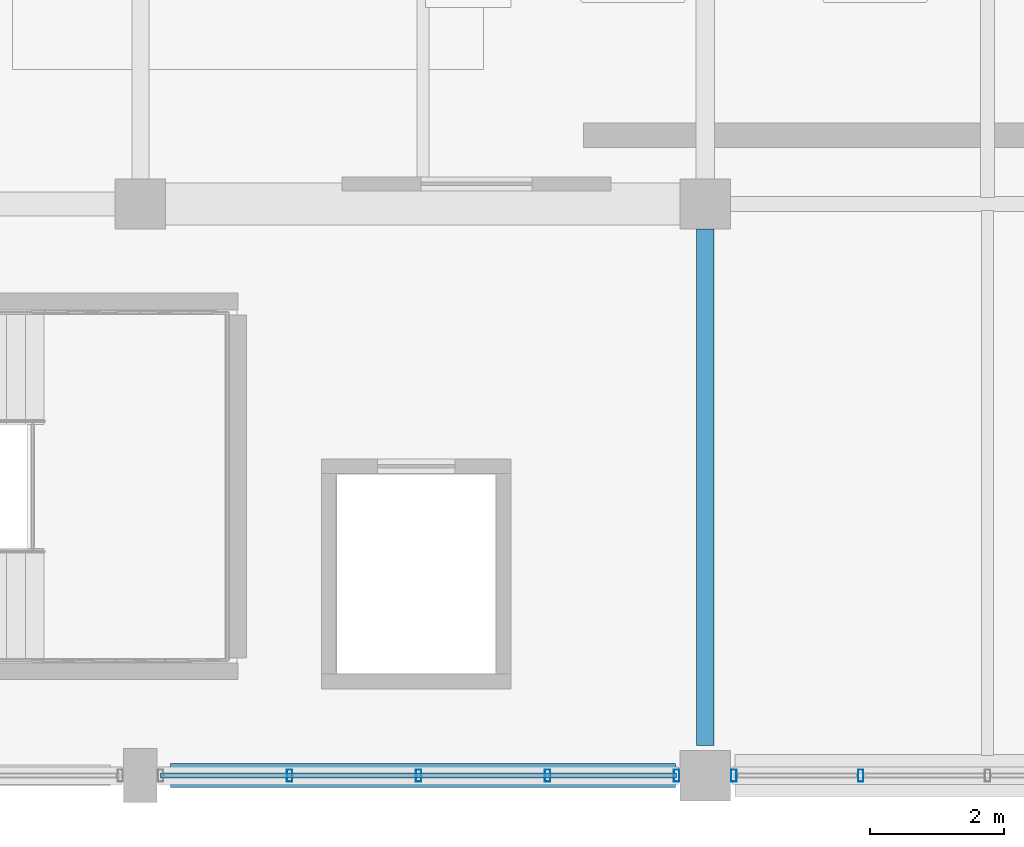
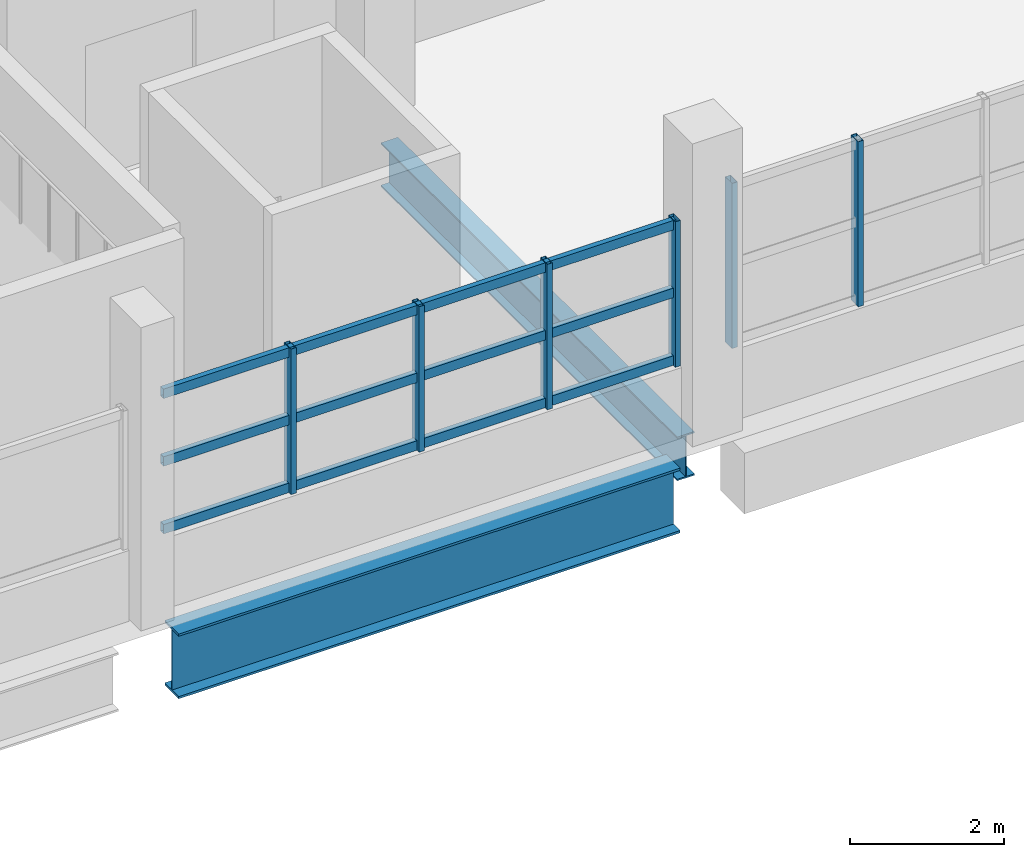
# One storey, part 52 of 117: 9 members, 2 beams, 2 elements without a shape of their own.
"""IFC4 building model written with IfcOpenShell, lengths in metres."""

from ifc_helpers import new_model, si_unit, direction, frame, origin, origin_2d, place, context, subcontext, project, spatial, hollow_rectangle, i_section, extrude, material, material_profile, profile_set, type_object, element, aggregate, save


model = new_model("IFC4")

# Units and contexts
model_context = context("Model", 3, precision=1e-05, world=origin(), true_north=direction((0.0, 1.0)))
body_context = subcontext(model_context, "Body", "Model", "MODEL_VIEW")
ifc_project = project(units=[si_unit("LENGTHUNIT", "METRE"), si_unit("AREAUNIT", "SQUARE_METRE"), si_unit("VOLUMEUNIT", "CUBIC_METRE"), si_unit("PLANEANGLEUNIT", "RADIAN"), si_unit("MASSUNIT", "GRAM", prefix="KILO")], contexts=[model_context])

# Site, building, storey
site_placement = place(None, origin())
site = spatial("IfcSite", under=ifc_project, at=site_placement, CompositionType="ELEMENT")
building_placement = place(site_placement, origin())
building = spatial("IfcBuilding", under=site, at=building_placement, Name="Solvento Point Concert Hall", CompositionType="ELEMENT")
storey_placement = place(building_placement, frame((0.0, 0.0, 5.39990234375)))
storey = spatial("IfcBuildingStorey", under=building, at=storey_placement, Name="L01", CompositionType="ELEMENT", Elevation=5.39990234375)

# Beams
ifc_material_1 = material(Name="Structural Steel ASTM A992 Grade 50", Category="steel")
ifc_material_profile_1 = material_profile(ifc_material_1, i_section(OverallWidth=0.256103515625, OverallDepth=0.693115234375, WebThickness=0.014404296875, FlangeThickness=0.023681640625, at=origin_2d()), Name="W27X114")
ifc_profile_set_1 = profile_set([ifc_material_profile_1], Name="Structural Steel ASTM A992 Grade 50")
beam_type_1 = type_object("IfcBeamType", Name="Girder_W27X114", PredefinedType="USERDEFINED", material=ifc_profile_set_1)
beam_1_placement = place(storey_placement, frame((166.800048828125, 0.444091796875, -0.7705078125), z_axis=(0.0, 1.0, 0.0), x_axis=(-1.0, 0.0, 0.0)))
element("IfcBeam", 1, at=beam_1_placement, inside=storey, type_object=beam_type_1, Name="Primary girder B-23 L01", ObjectType="GIRDER", PredefinedType="USERDEFINED", context=body_context, shape_type="SweptSolid", body=[
    extrude(i_section(OverallWidth=0.256103515625, OverallDepth=0.693115234375, WebThickness=0.014404296875, FlangeThickness=0.023681640625, at=origin_2d()), origin(), (0.0, 0.0, 1.0), 7.68701171875),
])
ifc_material_2 = material(Name="Structural Steel ASTM A992 Grade 50", Category="steel")
ifc_material_profile_2 = material_profile(ifc_material_2, i_section(OverallWidth=0.361083984375, OverallDepth=1.02587890625, WebThickness=0.01904296875, FlangeThickness=0.0361328125, at=origin_2d()), Name="W40X249")
ifc_profile_set_2 = profile_set([ifc_material_profile_2], Name="Structural Steel ASTM A992 Grade 50")
beam_type_2 = type_object("IfcBeamType", Name="Girder_W40X249", PredefinedType="USERDEFINED", material=ifc_profile_set_2)
beam_2_placement = place(storey_placement, frame((158.843994140625, 0.0, -0.93701171875), z_axis=(1.0, 0.0, 0.0), x_axis=(0.0, 1.0, 0.0)))
element("IfcBeam", 2, at=beam_2_placement, inside=storey, type_object=beam_type_2, Name="Primary girder B-29 L01", ObjectType="GIRDER", PredefinedType="USERDEFINED", context=body_context, shape_type="SweptSolid", body=[
    extrude(i_section(OverallWidth=0.361083984375, OverallDepth=1.02587890625, WebThickness=0.01904296875, FlangeThickness=0.0361328125, at=origin_2d()), origin(), (0.0, 0.0, 1.0), 7.511962890625),
])

# Curtain wall, members
ifc_material_3 = material(Name="Anodized Bronze Aluminium", Category="aluminium")
curtain_wall_type = type_object("IfcCurtainWallType", Name="CurtainWall_ChamberCircle", PredefinedType="USERDEFINED", material=ifc_material_3)
curtain_wall_1_placement = place(storey_placement, origin())
curtain_wall_1 = element("IfcCurtainWall", 3, at=curtain_wall_1_placement, inside=storey, type_object=curtain_wall_type, Name="Unitised curtain wall CW-32 UCW-L01-087", ObjectType="UNITISED CURTAIN WALL", PredefinedType="USERDEFINED")
ifc_material_4 = material(Name="Anodized Bronze Aluminium", Category="aluminium")
ifc_material_profile_3 = material_profile(ifc_material_4, hollow_rectangle(XDim=0.080078125, YDim=0.179931640625, WallThickness=0.00390625, at=origin_2d()), Name="CW-MUL-80X180")
ifc_profile_set_3 = profile_set([ifc_material_profile_3], Name="Anodized Bronze Aluminium")
member_type_1 = type_object("IfcMemberType", Name="Mullion_80x180", PredefinedType="MULLION", material=ifc_profile_set_3)
member_1_placement = place(storey_placement, frame((160.61865234375, 0.0, 1.1201171875), z_axis=(0.0, 0.0, 1.0), x_axis=(1.0, 0.0, 0.0)))
member_1 = element("IfcMember", 4, at=member_1_placement, type_object=member_type_1, Name="Curtain wall mullion ML-01", PredefinedType="MULLION", context=body_context, shape_type="SweptSolid", body=[
    extrude(hollow_rectangle(XDim=0.080078125, YDim=0.179931640625, WallThickness=0.00390625, at=origin_2d()), origin(), (0.0, 0.0, 1.0), 2.303955078125),
])
member_2_placement = place(storey_placement, frame((162.53759765625, 0.0, 1.1201171875), z_axis=(0.0, 0.0, 1.0), x_axis=(1.0, 0.0, 0.0)))
member_2 = element("IfcMember", 5, at=member_2_placement, type_object=member_type_1, Name="Curtain wall mullion ML-01", PredefinedType="MULLION", context=body_context, shape_type="SweptSolid", body=[
    extrude(hollow_rectangle(XDim=0.080078125, YDim=0.179931640625, WallThickness=0.00390625, at=origin_2d()), origin(), (0.0, 0.0, 1.0), 2.303955078125),
])
member_3_placement = place(storey_placement, frame((164.456298828125, 0.0, 1.1201171875), z_axis=(0.0, 0.0, 1.0), x_axis=(1.0, 0.0, 0.0)))
member_3 = element("IfcMember", 6, at=member_3_placement, type_object=member_type_1, Name="Curtain wall mullion ML-01", PredefinedType="MULLION", context=body_context, shape_type="SweptSolid", body=[
    extrude(hollow_rectangle(XDim=0.080078125, YDim=0.179931640625, WallThickness=0.00390625, at=origin_2d()), origin(), (0.0, 0.0, 1.0), 2.303955078125),
])
member_4_placement = place(storey_placement, frame((166.375, 0.0, 1.1201171875), z_axis=(0.0, 0.0, 1.0), x_axis=(1.0, 0.0, 0.0)))
member_4 = element("IfcMember", 7, at=member_4_placement, type_object=member_type_1, Name="Curtain wall mullion ML-01", PredefinedType="MULLION", context=body_context, shape_type="SweptSolid", body=[
    extrude(hollow_rectangle(XDim=0.080078125, YDim=0.179931640625, WallThickness=0.00390625, at=origin_2d()), origin(), (0.0, 0.0, 1.0), 2.303955078125),
])

curtain_wall_2_placement = place(storey_placement, origin())
curtain_wall_2 = element("IfcCurtainWall", 8, at=curtain_wall_2_placement, inside=storey, type_object=curtain_wall_type, Name="Unitised curtain wall CW-32 UCW-L01-088", ObjectType="UNITISED CURTAIN WALL", PredefinedType="USERDEFINED")
member_5_placement = place(storey_placement, frame((167.22509765625, 0.0, 1.1201171875), z_axis=(0.0, 0.0, 1.0), x_axis=(1.0, 0.0, 0.0)))
member_5 = element("IfcMember", 9, at=member_5_placement, type_object=member_type_1, Name="Curtain wall mullion ML-01", PredefinedType="MULLION", context=body_context, shape_type="SweptSolid", body=[
    extrude(hollow_rectangle(XDim=0.080078125, YDim=0.179931640625, WallThickness=0.00390625, at=origin_2d()), origin(), (0.0, 0.0, 1.0), 2.615966796875),
])
member_6_placement = place(storey_placement, frame((169.112548828125, 0.0, 1.1201171875), z_axis=(0.0, 0.0, 1.0), x_axis=(1.0, 0.0, 0.0)))
member_6 = element("IfcMember", 10, at=member_6_placement, type_object=member_type_1, Name="Curtain wall mullion ML-01", PredefinedType="MULLION", context=body_context, shape_type="SweptSolid", body=[
    extrude(hollow_rectangle(XDim=0.080078125, YDim=0.179931640625, WallThickness=0.00390625, at=origin_2d()), origin(), (0.0, 0.0, 1.0), 2.615966796875),
])
aggregate(curtain_wall_2, [member_5, member_6])

# Member
ifc_material_5 = material(Name="Anodized Bronze Aluminium", Category="aluminium")
ifc_material_profile_4 = material_profile(ifc_material_5, hollow_rectangle(XDim=0.080078125, YDim=0.14990234375, WallThickness=0.00390625, at=origin_2d()), Name="CW-TRN-80X150")
ifc_profile_set_4 = profile_set([ifc_material_profile_4], Name="Anodized Bronze Aluminium")
member_type_2 = type_object("IfcMemberType", Name="Transom_80x150", PredefinedType="USERDEFINED", material=ifc_profile_set_4)
member_7_placement = place(storey_placement, frame((158.699951171875, 0.0, 1.2001953125), z_axis=(1.0, 0.0, 0.0), x_axis=(0.0, 1.0, 0.0)))
member_7 = element("IfcMember", 11, at=member_7_placement, type_object=member_type_2, Name="Curtain wall transom TR-01", ObjectType="TRANSOM", PredefinedType="USERDEFINED", context=body_context, shape_type="SweptSolid", body=[
    extrude(hollow_rectangle(XDim=0.080078125, YDim=0.14990234375, WallThickness=0.00390625, at=origin_2d()), origin(), (0.0, 0.0, 1.0), 7.675048828125),
])

member_8_placement = place(storey_placement, frame((158.699951171875, 0.0, 2.272216796875), z_axis=(1.0, 0.0, 0.0), x_axis=(0.0, 1.0, 0.0)))
member_8 = element("IfcMember", 12, at=member_8_placement, type_object=member_type_2, Name="Curtain wall transom TR-01", ObjectType="TRANSOM", PredefinedType="USERDEFINED", context=body_context, shape_type="SweptSolid", body=[
    extrude(hollow_rectangle(XDim=0.080078125, YDim=0.14990234375, WallThickness=0.00390625, at=origin_2d()), origin(), (0.0, 0.0, 1.0), 7.675048828125),
])

member_9_placement = place(storey_placement, frame((158.699951171875, 0.0, 3.343994140625), z_axis=(1.0, 0.0, 0.0), x_axis=(0.0, 1.0, 0.0)))
member_9 = element("IfcMember", 13, at=member_9_placement, type_object=member_type_2, Name="Curtain wall transom TR-01", ObjectType="TRANSOM", PredefinedType="USERDEFINED", context=body_context, shape_type="SweptSolid", body=[
    extrude(hollow_rectangle(XDim=0.080078125, YDim=0.14990234375, WallThickness=0.00390625, at=origin_2d()), origin(), (0.0, 0.0, 1.0), 7.675048828125),
])

aggregate(curtain_wall_1, [member_1, member_2, member_3, member_4, member_7, member_8, member_9])

save(model, "model.ifc")
